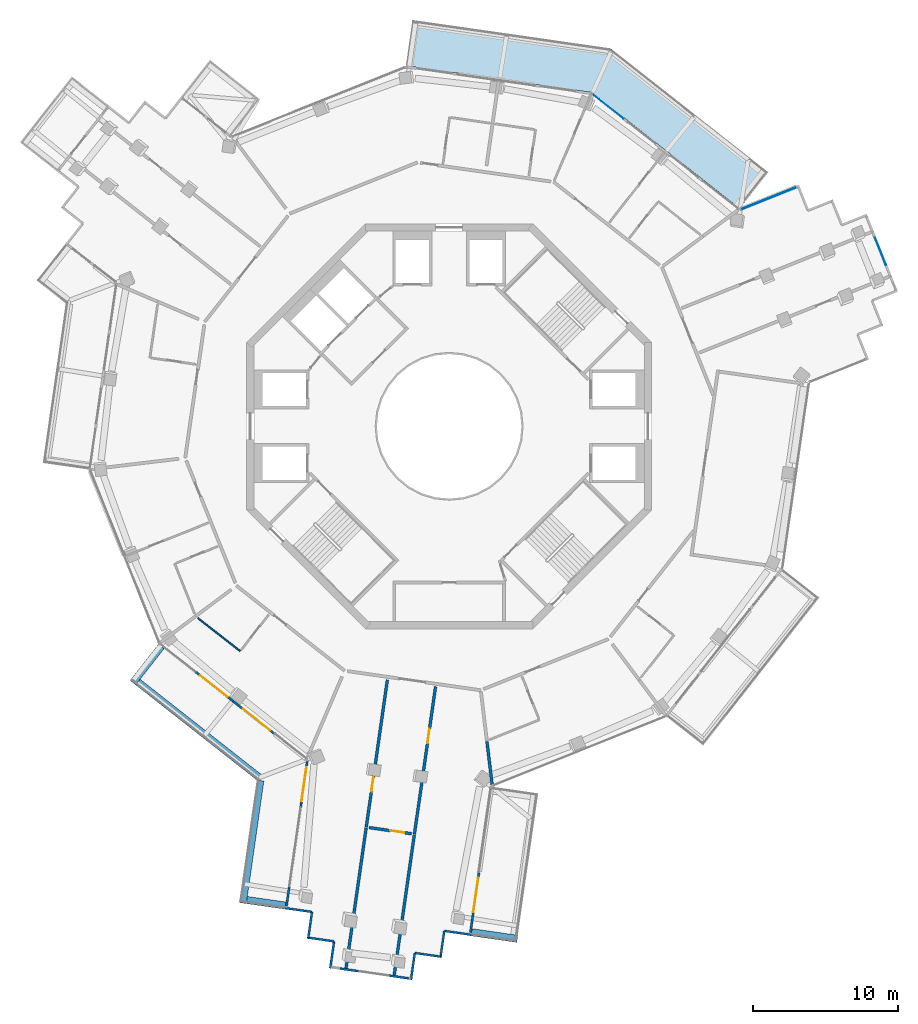
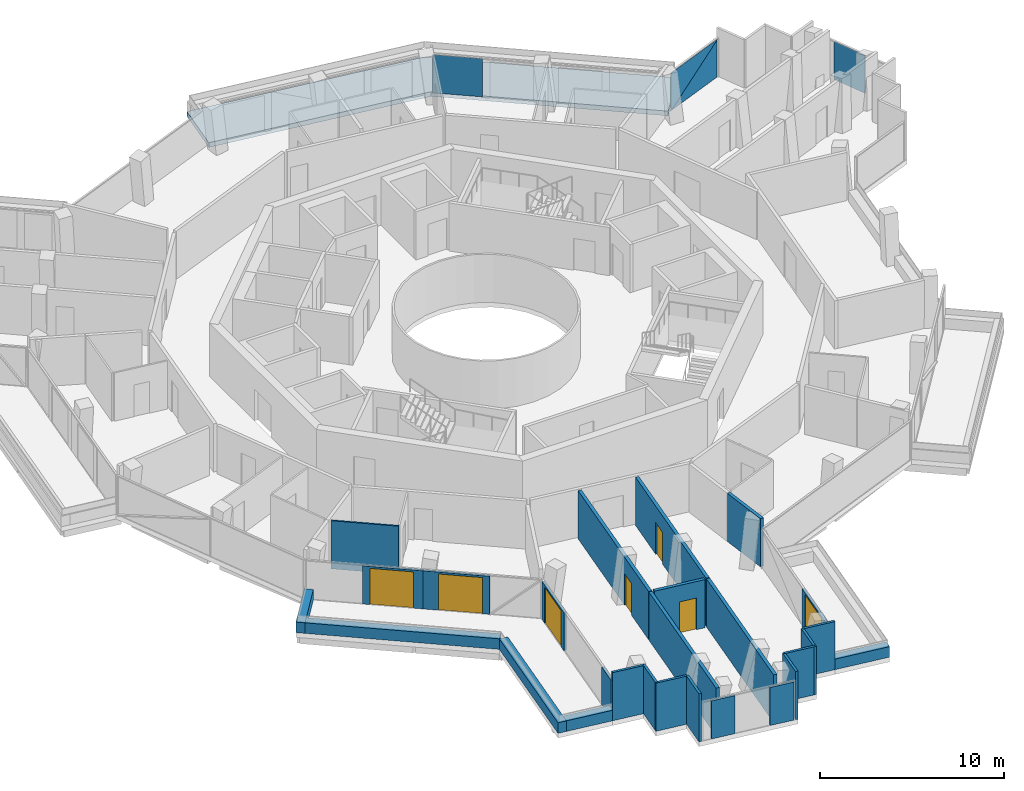
# One storey, part 15 of 23: 27 walls, 7 doors, 4 plates, 1 slab, 7 openings, 3 elements without a shape of their own.
"""IFC4 building model written with IfcOpenShell, lengths in metres."""

from ifc_helpers import new_model, si_unit, direction, frame, frame_2d, origin, origin_2d, place, context, subcontext, project, spatial, polyline, rectangle, outline, extrude, material, layer, layer_set, type_object, element, fill, aggregate, save


model = new_model("IFC4")

# Units and contexts
model_context = context("Model", 3, precision=1e-05, world=origin(), true_north=direction((0.0, 1.0)))
body_context = subcontext(model_context, "Body", "Model", "MODEL_VIEW")
ifc_project = project(units=[si_unit("LENGTHUNIT", "METRE"), si_unit("AREAUNIT", "SQUARE_METRE"), si_unit("VOLUMEUNIT", "CUBIC_METRE"), si_unit("PLANEANGLEUNIT", "RADIAN"), si_unit("MASSUNIT", "GRAM", prefix="KILO")], contexts=[model_context])

# Site, building, storey
site_placement = place(None, origin())
site = spatial("IfcSite", under=ifc_project, at=site_placement, CompositionType="ELEMENT")
building_placement = place(site_placement, origin())
building = spatial("IfcBuilding", under=site, at=building_placement, Name="Verdalira Terraces Hotel", CompositionType="ELEMENT")
storey_placement = place(building_placement, frame((0.0, 0.0, 244.5)))
storey = spatial("IfcBuildingStorey", under=building, at=storey_placement, Name="L60", CompositionType="ELEMENT", Elevation=244.5)

# Slab
ifc_material_1 = material(Name="Precast concrete C40/50", Category="concrete")
ifc_layer_1 = layer(ifc_material_1, 0.31005859375)
ifc_layer_set_1 = layer_set([ifc_layer_1], Name="Balcony deck 310")
slab_type = type_object("IfcSlabType", Name="Balcony deck 310", PredefinedType="FLOOR", material=ifc_layer_set_1)
slab_placement = place(storey_placement, frame((0.0, 0.0, -0.310059)))
element("IfcSlab", 1, at=slab_placement, inside=storey, type_object=slab_type, Name="Balcony deck", PredefinedType="FLOOR", context=body_context, shape_type="SweptSolid", body=[
    extrude(outline(polyline([(-2.536865, 28.103027), (-2.990967, 24.935303), (9.877441, 23.090088), (20.099121, 15.057861), (22.076172, 17.573975), (11.18042, 26.135986), (-2.536865, 28.103027)])), origin(), (0.0, 0.0, 1.0), 0.310059),
])

# Curtain wall, plate
ifc_material_2 = material(Name="Clear glass", Category="glass")
ifc_layer_2 = layer(ifc_material_2, 0.14990234375)
ifc_layer_set_2 = layer_set([ifc_layer_2], Name="CW1 curtain wall")
curtain_wall_type_1 = type_object("IfcCurtainWallType", Name="CW1 curtain wall", PredefinedType="NOTDEFINED", material=ifc_layer_set_2)
curtain_wall_1_placement = place(storey_placement, origin())
curtain_wall_1 = element("IfcCurtainWall", 2, at=curtain_wall_1_placement, inside=storey, type_object=curtain_wall_type_1, Name="CW1 curtain wall L60 edge 39", PredefinedType="NOTDEFINED")
ifc_material_3 = material(Name="Clear glass", Category="glass")
ifc_layer_3 = layer(ifc_material_3, 0.028076171875)
ifc_layer_set_3 = layer_set([ifc_layer_3], Name="CW1 glass unit 28")
plate_type_1 = type_object("IfcPlateType", Name="CW1 glass unit 28", PredefinedType="CURTAIN_PANEL", material=ifc_layer_set_3)
plate_1_placement = place(storey_placement, frame((10.986328, 22.123291, 0.0), z_axis=(0.0, 0.0, 1.0), x_axis=(-0.786288432, 0.617859613, 0.0)))
plate_1 = element("IfcPlate", 3, at=plate_1_placement, type_object=plate_type_1, Name="CW1 glass unit", PredefinedType="CURTAIN_PANEL", context=body_context, shape_type="SweptSolid", body=[
    extrude(rectangle(XDim=2.738525, YDim=0.028076, at=origin_2d()), origin(), (0.0, 0.0, 1.0), 2.524902),
])
aggregate(curtain_wall_1, [plate_1])

# Curtain wall, plates
ifc_material_4 = material(Name="Clear glass", Category="glass")
ifc_layer_4 = layer(ifc_material_4, 0.14990234375)
ifc_layer_set_4 = layer_set([ifc_layer_4], Name="CW2 curtain wall")
curtain_wall_type_2 = type_object("IfcCurtainWallType", Name="CW2 curtain wall", PredefinedType="NOTDEFINED", material=ifc_layer_set_4)
curtain_wall_2_placement = place(storey_placement, origin())
curtain_wall_2 = element("IfcCurtainWall", 4, at=curtain_wall_2_placement, inside=storey, type_object=curtain_wall_type_2, Name="CW2 curtain wall L60 edge 38", PredefinedType="NOTDEFINED")
ifc_material_5 = material(Name="Clear glass", Category="glass")
ifc_layer_5 = layer(ifc_material_5, 0.031982421875)
ifc_layer_set_5 = layer_set([ifc_layer_5], Name="CW2 glass unit 32")
plate_type_2 = type_object("IfcPlateType", Name="CW2 glass unit 32", PredefinedType="CURTAIN_PANEL", material=ifc_layer_set_5)
plate_2_placement = place(storey_placement, frame((22.110352, 15.766113, 1.262451), z_axis=(-0.37201595, 0.928226337, 0.0), x_axis=(-0.928226337, -0.37201595, 0.0)))
plate_2 = element("IfcPlate", 5, at=plate_2_placement, type_object=plate_type_2, Name="CW2 glass unit", PredefinedType="CURTAIN_PANEL", context=body_context, shape_type="SweptSolid", body=[
    extrude(outline(polyline([(-2.060547, -1.262451), (2.060547, -1.262451), (-2.060547, 1.262451), (-2.060547, -1.262451)])), origin(), (0.0, 0.0, 1.0), 0.031982),
])
plate_3_placement = place(storey_placement, frame((22.122803, 15.735596, 1.262451), z_axis=(-0.37201595, 0.928226337, 0.0), x_axis=(-0.928226337, -0.37201595, 0.0)))
plate_3 = element("IfcPlate", 6, at=plate_3_placement, type_object=plate_type_2, Name="CW2 glass unit", PredefinedType="CURTAIN_PANEL", context=body_context, shape_type="SweptSolid", body=[
    extrude(outline(polyline([(2.060547, -1.262451), (2.060547, 1.262451), (-2.060547, 1.262451), (2.060547, -1.262451)])), origin(), (0.0, 0.0, 1.0), 0.031982),
])
aggregate(curtain_wall_2, [plate_2, plate_3])

# Curtain wall, plate
ifc_material_6 = material(Name="Clear glass", Category="glass")
ifc_layer_6 = layer(ifc_material_6, 0.14990234375)
ifc_layer_set_6 = layer_set([ifc_layer_6], Name="CW3 curtain wall")
curtain_wall_type_3 = type_object("IfcCurtainWallType", Name="CW3 curtain wall", PredefinedType="NOTDEFINED", material=ifc_layer_set_6)
curtain_wall_3_placement = place(storey_placement, origin())
curtain_wall_3 = element("IfcCurtainWall", 7, at=curtain_wall_3_placement, inside=storey, type_object=curtain_wall_type_3, Name="CW3 curtain wall L60 edge 33", PredefinedType="NOTDEFINED")
ifc_material_7 = material(Name="Clear glass", Category="glass")
ifc_layer_7 = layer(ifc_material_7, 0.035888671875)
ifc_layer_set_7 = layer_set([ifc_layer_7], Name="CW3 glass unit 36")
plate_type_3 = type_object("IfcPlateType", Name="CW3 glass unit 36", PredefinedType="CURTAIN_PANEL", material=ifc_layer_set_7)
plate_4_placement = place(storey_placement, frame((29.811279, 12.156738, 0.0), z_axis=(0.0, 0.0, 1.0), x_axis=(-0.37201595, 0.928226337, 0.0)))
plate_4 = element("IfcPlate", 8, at=plate_4_placement, type_object=plate_type_3, Name="CW3 glass unit", PredefinedType="CURTAIN_PANEL", context=body_context, shape_type="SweptSolid", body=[
    extrude(rectangle(XDim=2.140137, YDim=0.035889, at=origin_2d()), origin(), (0.0, 0.0, 1.0), 2.524902),
])
aggregate(curtain_wall_3, [plate_4])

# Walls
ifc_material_8 = material(Name="Concrete C40", Category="concrete")
ifc_layer_8 = layer(ifc_material_8, 0.5)
ifc_layer_set_8 = layer_set([ifc_layer_8], Name="Balcony planter trough with tree")
wall_type_1 = type_object("IfcWallType", Name="Balcony planter trough with tree", PredefinedType="SOLIDWALL", material=ifc_layer_set_8)
wall_1_placement = place(storey_placement, frame((-19.903076, -15.213135, 0.0), z_axis=(0.0, 0.0, 1.0), x_axis=(-0.617858626, -0.786289208, 0.0)))
element("IfcWall", 9, at=wall_1_placement, inside=storey, type_object=wall_type_1, Name="Balcony planter", PredefinedType="SOLIDWALL", context=body_context, shape_type="SweptSolid", body=[
    extrude(rectangle(XDim=3.198975, YDim=0.5, at=frame_2d((1.599609, 0.0))), origin(), (0.0, 0.0, 1.0), 0.699951),
])
wall_2_placement = place(storey_placement, frame((-21.528564, -17.686523, 0.0), z_axis=(0.0, 0.0, 1.0), x_axis=(0.786290502, -0.617856979, 0.0)))
element("IfcWall", 10, at=wall_2_placement, inside=storey, type_object=wall_type_1, Name="Balcony planter", PredefinedType="SOLIDWALL", context=body_context, shape_type="SweptSolid", body=[
    extrude(rectangle(XDim=10.6521, YDim=0.5, at=frame_2d((5.326172, 0.0))), origin(), (0.0, 0.0, 1.0), 0.699951),
])
wall_3_placement = place(storey_placement, frame((-13.059814, -24.500244, 0.0), z_axis=(0.0, 0.0, 1.0), x_axis=(-0.14192426, -0.98987752, 0.0)))
element("IfcWall", 11, at=wall_3_placement, inside=storey, type_object=wall_type_1, Name="Balcony planter", PredefinedType="SOLIDWALL", context=body_context, shape_type="SweptSolid", body=[
    extrude(rectangle(XDim=8.563232, YDim=0.5, at=frame_2d((4.281738, 0.0))), origin(), (0.0, 0.0, 1.0), 0.699951),
])
wall_4_placement = place(storey_placement, frame((-13.992188, -32.764893, 0.0), z_axis=(0.0, 0.0, 1.0), x_axis=(0.989876998, -0.1419279, 0.0)))
element("IfcWall", 12, at=wall_4_placement, inside=storey, type_object=wall_type_1, Name="Balcony planter", PredefinedType="SOLIDWALL", context=body_context, shape_type="SweptSolid", body=[
    extrude(rectangle(XDim=2.698975, YDim=0.5, at=frame_2d((1.349609, 0.0))), origin(), (0.0, 0.0, 1.0), 0.699951),
])
wall_5_placement = place(storey_placement, frame((1.549805, -34.993408, 0.0), z_axis=(0.0, 0.0, 1.0), x_axis=(0.989873029, -0.141955577, 0.0)))
element("IfcWall", 13, at=wall_5_placement, inside=storey, type_object=wall_type_1, Name="Balcony planter", PredefinedType="SOLIDWALL", context=body_context, shape_type="SweptSolid", body=[
    extrude(rectangle(XDim=3.198975, YDim=0.5, at=frame_2d((1.599609, 0.0))), origin(), (0.0, 0.0, 1.0), 0.699951),
])
ifc_material_9 = material(Name="Moisture-resistant gypsum board partition")
ifc_layer_9 = layer(ifc_material_9, 0.10009765625)
ifc_layer_set_9 = layer_set([ifc_layer_9], Name="Bathroom partition 100 mm")
wall_type_2 = type_object("IfcWallType", Name="Bathroom partition 100 mm", PredefinedType="PARTITIONING", material=ifc_layer_set_9)
wall_6_placement = place(storey_placement, frame((-14.455322, -15.550049, 0.0), z_axis=(0.0, 0.0, 1.0), x_axis=(-0.786313773, 0.617827363, 0.0)))
element("IfcWall", 14, at=wall_6_placement, inside=storey, type_object=wall_type_2, Name="Bathroom partition", PredefinedType="PARTITIONING", context=body_context, shape_type="SweptSolid", body=[
    extrude(rectangle(XDim=3.710938, YDim=0.100098, at=frame_2d((1.855469, 0.0))), origin(), (0.0, 0.0, 1.0), 3.189941),
])
ifc_material_10 = material(Name="Fire-rated gypsum board wall")
ifc_layer_10 = layer(ifc_material_10, 0.199951171875)
ifc_layer_set_10 = layer_set([ifc_layer_10], Name="Demising wall 200 mm")
wall_type_3 = type_object("IfcWallType", Name="Demising wall 200 mm", PredefinedType="SOLIDWALL", material=ifc_layer_set_10)
wall_7_placement = place(storey_placement, frame((-5.738281, -27.772949, 0.0), z_axis=(0.0, 0.0, 1.0), x_axis=(-0.141936838, -0.989875716, 0.0)))
element("IfcWall", 15, at=wall_7_placement, inside=storey, type_object=wall_type_3, Name="Demising wall", PredefinedType="SOLIDWALL", context=body_context, shape_type="SweptSolid", body=[
    extrude(rectangle(XDim=9.812988, YDim=0.199951, at=frame_2d((4.906494, 0.0))), origin(), (0.0, 0.0, 1.0), 3.189941),
])

# Wall, opening, door
wall_8_placement = place(storey_placement, frame((-5.731689, -27.727539, 0.0), z_axis=(0.0, 0.0, 1.0), x_axis=(0.141952175, 0.989873517, 0.0)))
wall_8 = element("IfcWall", 16, at=wall_8_placement, inside=storey, type_object=wall_type_3, Name="Demising wall", PredefinedType="SOLIDWALL", context=body_context, shape_type="SweptSolid", body=[
    extrude(rectangle(XDim=10.302002, YDim=0.199951, at=frame_2d((5.150879, 0.0))), origin(), (0.0, 0.0, 1.0), 3.189941),
])
opening_1_placement = place(wall_8_placement, frame((2.5, 0.0, 0.0)))
opening_1 = element("IfcOpeningElement", 17, at=opening_1_placement, cuts=wall_8, Name="Opening L60-112", PredefinedType="OPENING", context=body_context, shape_type="SweptSolid", body=[
    extrude(rectangle(XDim=1.0, YDim=2.100098, at=frame_2d((0.5, 1.050049))), frame((0.0, 0.109863, 0.0), z_axis=(0.0, -1.0, 0.0), x_axis=(1.0, 0.0, 0.0)), (0.0, 0.0, 1.0), 0.219971),
])
ifc_material_11 = material(Name="Timber fire door", Category="wood")
door_type_1 = type_object("IfcDoorType", Name="Public room door 1000 x 2100", OperationType="NOTDEFINED", PredefinedType="DOOR", material=ifc_material_11)
door_1_placement = place(opening_1_placement, origin())
door_1 = element("IfcDoor", 18, at=door_1_placement, inside=storey, type_object=door_type_1, Name="Public room door 6005", OperationType="SINGLE_SWING_LEFT", OverallHeight=2.10009765625, OverallWidth=1.0, PredefinedType="DOOR", context=body_context, shape_type="SweptSolid", body=[
    extrude(rectangle(XDim=1.0, YDim=2.100098, at=frame_2d((0.5, 1.050049))), frame((0.0, 0.024902, 0.0), z_axis=(0.0, -1.0, 0.0), x_axis=(1.0, 0.0, 0.0)), (0.0, 0.0, 1.0), 0.050049),
])
fill(opening_1, door_1)

wall_9_placement = place(storey_placement, frame((-2.598389, -28.174805, 0.0), z_axis=(0.0, 0.0, 1.0), x_axis=(-0.9898736, 0.141951596, 0.0)))
wall_9 = element("IfcWall", 19, at=wall_9_placement, inside=storey, type_object=wall_type_3, Name="Demising wall", PredefinedType="SOLIDWALL", context=body_context, shape_type="SweptSolid", body=[
    extrude(rectangle(XDim=2.965088, YDim=0.199951, at=frame_2d((1.482422, 0.0))), origin(), (0.0, 0.0, 1.0), 3.189941),
])
opening_2_placement = place(wall_9_placement, frame((0.5, 0.0, 0.0)))
opening_2 = element("IfcOpeningElement", 20, at=opening_2_placement, cuts=wall_9, Name="Opening L60-114", PredefinedType="OPENING", context=body_context, shape_type="SweptSolid", body=[
    extrude(rectangle(XDim=1.0, YDim=2.100098, at=frame_2d((0.5, 1.050049))), frame((0.0, 0.109863, 0.0), z_axis=(0.0, -1.0, 0.0), x_axis=(1.0, 0.0, 0.0)), (0.0, 0.0, 1.0), 0.219971),
])
door_2_placement = place(opening_2_placement, origin())
door_2 = element("IfcDoor", 21, at=door_2_placement, inside=storey, type_object=door_type_1, Name="Public room door 6005", OperationType="SINGLE_SWING_LEFT", OverallHeight=2.10009765625, OverallWidth=1.0, PredefinedType="DOOR", context=body_context, shape_type="SweptSolid", body=[
    extrude(rectangle(XDim=1.0, YDim=2.100098, at=frame_2d((0.5, 1.050049))), frame((0.0, 0.024902, 0.0), z_axis=(0.0, -1.0, 0.0), x_axis=(1.0, 0.0, 0.0)), (0.0, 0.0, 1.0), 0.050049),
])
fill(opening_2, door_2)

# Wall
wall_10_placement = place(storey_placement, frame((-3.800049, -37.964111, 0.0), z_axis=(0.0, 0.0, 1.0), x_axis=(0.141940333, 0.989875215, 0.0)))
element("IfcWall", 22, at=wall_10_placement, inside=storey, type_object=wall_type_3, Name="Demising wall", PredefinedType="SOLIDWALL", context=body_context, shape_type="SweptSolid", body=[
    extrude(rectangle(XDim=9.812744, YDim=0.199951, at=frame_2d((4.90625, 0.0))), origin(), (0.0, 0.0, 1.0), 3.189941),
])

# Wall, opening, door
wall_11_placement = place(storey_placement, frame((-0.938477, -18.007324, 0.0), z_axis=(0.0, 0.0, 1.0), x_axis=(-0.141952175, -0.989873517, 0.0)))
wall_11 = element("IfcWall", 23, at=wall_11_placement, inside=storey, type_object=wall_type_3, Name="Demising wall", PredefinedType="SOLIDWALL", context=body_context, shape_type="SweptSolid", body=[
    extrude(rectangle(XDim=10.302002, YDim=0.199951, at=frame_2d((5.150879, 0.0))), origin(), (0.0, 0.0, 1.0), 3.189941),
])
opening_3_placement = place(wall_11_placement, frame((2.949951, 0.0, 0.0)))
opening_3 = element("IfcOpeningElement", 24, at=opening_3_placement, cuts=wall_11, Name="Opening L60-113", PredefinedType="OPENING", context=body_context, shape_type="SweptSolid", body=[
    extrude(rectangle(XDim=1.0, YDim=2.100098, at=frame_2d((0.5, 1.050049))), frame((0.0, 0.109863, 0.0), z_axis=(0.0, -1.0, 0.0), x_axis=(1.0, 0.0, 0.0)), (0.0, 0.0, 1.0), 0.219971),
])
door_3_placement = place(opening_3_placement, origin())
door_3 = element("IfcDoor", 25, at=door_3_placement, inside=storey, type_object=door_type_1, Name="Public room door 6005", OperationType="SINGLE_SWING_LEFT", OverallHeight=2.10009765625, OverallWidth=1.0, PredefinedType="DOOR", context=body_context, shape_type="SweptSolid", body=[
    extrude(rectangle(XDim=1.0, YDim=2.100098, at=frame_2d((0.5, 1.050049))), frame((0.0, 0.024902, 0.0), z_axis=(0.0, -1.0, 0.0), x_axis=(1.0, 0.0, 0.0)), (0.0, 0.0, 1.0), 0.050049),
])
fill(opening_3, door_3)

# Walls
wall_12_placement = place(storey_placement, frame((2.614502, -21.796387, 0.0), z_axis=(0.0, 0.0, 1.0), x_axis=(0.119094071, -0.992882975, 0.0)))
element("IfcWall", 26, at=wall_12_placement, inside=storey, type_object=wall_type_3, Name="Demising wall", PredefinedType="SOLIDWALL", context=body_context, shape_type="SweptSolid", body=[
    extrude(rectangle(XDim=3.011475, YDim=0.199951, at=frame_2d((1.505859, 0.0))), origin(), (0.0, 0.0, 1.0), 3.189941),
])
ifc_material_12 = material(Name="Terracotta cladding", Category="masonry")
ifc_layer_11 = layer(ifc_material_12, 0.14990234375)
ifc_layer_set_11 = layer_set([ifc_layer_11], Name="Terracotta clad wall 150")
wall_type_4 = type_object("IfcWallType", Name="Terracotta clad wall 150", PredefinedType="SOLIDWALL", material=ifc_layer_set_11)
wall_13_placement = place(storey_placement, frame((-11.344482, -33.321289, 0.0), z_axis=(0.0, 0.0, 1.0), x_axis=(0.989879066, -0.141913479, 0.0)))
element("IfcWall", 27, at=wall_13_placement, inside=storey, type_object=wall_type_4, Name="Terracotta cladding wall", PredefinedType="SOLIDWALL", context=body_context, shape_type="SweptSolid", body=[
    extrude(rectangle(XDim=1.875244, YDim=0.149902, at=frame_2d((0.9375, 0.0))), origin(), (0.0, 0.0, 1.0), 3.189941),
])
wall_14_placement = place(storey_placement, frame((-9.488281, -33.587402, 0.0), z_axis=(0.0, 0.0, 1.0), x_axis=(-0.142009988, -0.989865225, 0.0)))
element("IfcWall", 28, at=wall_14_placement, inside=storey, type_object=wall_type_4, Name="Terracotta cladding wall", PredefinedType="SOLIDWALL", context=body_context, shape_type="SweptSolid", body=[
    extrude(rectangle(XDim=1.800049, YDim=0.149902, at=frame_2d((0.899902, 0.0))), origin(), (0.0, 0.0, 1.0), 3.189941),
])
for number, where, z_axis, x_axis, name in (
    (29, (-9.818115, -35.358643, 0.0), (0.0, 0.0, 1.0), (0.989876443, -0.141931771, 0.0), "Terracotta cladding wall"),
    (30, (-7.962158, -35.624756, 0.0), (0.0, 0.0, 1.0), (-0.141931771, -0.989876443, 0.0), "Terracotta cladding wall"),
    (31, (-2.635498, -38.282715, 0.0), (0.0, 0.0, 1.0), (0.141931771, 0.989876443, 0.0), "Terracotta cladding wall"),
):
    element("IfcWall", number, at=place(storey_placement, frame(where, z_axis=z_axis, x_axis=x_axis)), inside=storey, type_object=wall_type_4, Name=name, PredefinedType="SOLIDWALL", context=body_context, shape_type="SweptSolid", body=[
        extrude(rectangle(XDim=1.875, YDim=0.149902, at=frame_2d((0.9375, 0.0))), origin(), (0.0, 0.0, 1.0), 3.189941),
    ])
wall_15_placement = place(storey_placement, frame((-2.369385, -36.426758, 0.0), z_axis=(0.0, 0.0, 1.0), x_axis=(0.989884283, -0.141877084, 0.0)))
element("IfcWall", 32, at=wall_15_placement, inside=storey, type_object=wall_type_4, Name="Terracotta cladding wall", PredefinedType="SOLIDWALL", context=body_context, shape_type="SweptSolid", body=[
    extrude(rectangle(XDim=1.800049, YDim=0.149902, at=frame_2d((0.899902, 0.0))), origin(), (0.0, 0.0, 1.0), 3.189941),
])
for number, where, z_axis, x_axis, name in (
    (33, (-0.598145, -36.756348, 0.0), (0.0, 0.0, 1.0), (0.141931771, 0.989876443, 0.0), "Terracotta cladding wall"),
    (34, (-0.332031, -34.900391, 0.0), (0.0, 0.0, 1.0), (0.989876443, -0.141931771, 0.0), "Terracotta cladding wall"),
):
    element("IfcWall", number, at=place(storey_placement, frame(where, z_axis=z_axis, x_axis=x_axis)), inside=storey, type_object=wall_type_4, Name=name, PredefinedType="SOLIDWALL", context=body_context, shape_type="SweptSolid", body=[
        extrude(rectangle(XDim=1.875, YDim=0.149902, at=frame_2d((0.9375, 0.0))), origin(), (0.0, 0.0, 1.0), 3.189941),
    ])
ifc_material_13 = material(Name="Terracotta cladding", Category="masonry")
ifc_layer_12 = layer(ifc_material_13, 0.14990234375)
ifc_layer_set_12 = layer_set([ifc_layer_12], Name="Terracotta column pier 150")
wall_type_5 = type_object("IfcWallType", Name="Terracotta column pier 150", PredefinedType="SOLIDWALL", material=ifc_layer_set_12)
wall_16_placement = place(storey_placement, frame((-11.053711, -31.82251, 0.0), z_axis=(0.0, 0.0, 1.0), x_axis=(-0.141891954, -0.989882151, 0.0)))
element("IfcWall", 35, at=wall_16_placement, inside=storey, type_object=wall_type_5, Name="Terracotta column pier", PredefinedType="SOLIDWALL", context=body_context, shape_type="SweptSolid", body=[
    extrude(rectangle(XDim=1.379883, YDim=0.149902, at=frame_2d((0.689941, 0.0))), origin(), (0.0, 0.0, 1.0), 2.524902),
])
wall_17_placement = place(storey_placement, frame((-7.559326, -37.500977, 0.0), z_axis=(0.0, 0.0, 1.0), x_axis=(0.989892615, -0.141818935, 0.0)))
element("IfcWall", 36, at=wall_17_placement, inside=storey, type_object=wall_type_5, Name="Terracotta column pier", PredefinedType="SOLIDWALL", context=body_context, shape_type="SweptSolid", body=[
    extrude(rectangle(XDim=1.375488, YDim=0.149902, at=frame_2d((0.687744, 0.0))), origin(), (0.0, 0.0, 1.0), 2.524902),
])
wall_18_placement = place(storey_placement, frame((-4.174072, -37.986328, 0.0), z_axis=(0.0, 0.0, 1.0), x_axis=(0.98986969, -0.141978861, 0.0)))
element("IfcWall", 37, at=wall_18_placement, inside=storey, type_object=wall_type_5, Name="Terracotta column pier", PredefinedType="SOLIDWALL", context=body_context, shape_type="SweptSolid", body=[
    extrude(rectangle(XDim=1.410156, YDim=0.149902, at=frame_2d((0.705078, 0.0))), origin(), (0.0, 0.0, 1.0), 2.524902),
])

# Wall, opening, door
ifc_material_14 = material(Name="Terracotta cladding", Category="masonry")
ifc_layer_13 = layer(ifc_material_14, 0.14990234375)
ifc_layer_set_13 = layer_set([ifc_layer_13], Name="Terracotta door pier 150")
wall_type_6 = type_object("IfcWallType", Name="Terracotta door pier 150", PredefinedType="SOLIDWALL", material=ifc_layer_set_13)
wall_19_placement = place(storey_placement, frame((-17.536621, -16.976074, 0.0), z_axis=(0.0, 0.0, 1.0), x_axis=(0.786266993, -0.617886896, 0.0)))
wall_19 = element("IfcWall", 38, at=wall_19_placement, inside=storey, type_object=wall_type_6, Name="Terracotta door pier", PredefinedType="SOLIDWALL", context=body_context, shape_type="SweptSolid", body=[
    extrude(rectangle(XDim=3.300049, YDim=0.149902, at=frame_2d((1.649902, 0.0))), origin(), (0.0, 0.0, 1.0), 2.524902),
])
opening_4_placement = place(wall_19_placement, frame((0.399902, 0.0, 0.0)))
opening_4 = element("IfcOpeningElement", 39, at=opening_4_placement, cuts=wall_19, Name="Opening L60-B06", PredefinedType="OPENING", context=body_context, shape_type="SweptSolid", body=[
    extrude(rectangle(XDim=2.399902, YDim=2.399902, at=frame_2d((1.199951, 1.199951))), frame((0.0, 0.084961, 0.0), z_axis=(0.0, -1.0, 0.0), x_axis=(1.0, 0.0, 0.0)), (0.0, 0.0, 1.0), 0.169922),
])
ifc_material_15 = material(Name="Clear glass", Category="glass")
door_type_2 = type_object("IfcDoorType", Name="Balcony sliding door 2400x2400", OperationType="NOTDEFINED", PredefinedType="DOOR", material=ifc_material_15)
door_4_placement = place(opening_4_placement, origin())
door_4 = element("IfcDoor", 40, at=door_4_placement, inside=storey, type_object=door_type_2, Name="Balcony sliding door", OperationType="SLIDING_TO_RIGHT", OverallHeight=2.39990234375, OverallWidth=2.39990234375, PredefinedType="DOOR", context=body_context, shape_type="SweptSolid", body=[
    extrude(rectangle(XDim=2.399902, YDim=2.399902, at=frame_2d((1.199951, 1.199951))), frame((0.0, 0.024902, 0.0), z_axis=(0.0, -1.0, 0.0), x_axis=(1.0, 0.0, 0.0)), (0.0, 0.0, 1.0), 0.050049),
])
fill(opening_4, door_4)

wall_20_placement = place(storey_placement, frame((-14.941895, -19.015137, 0.0), z_axis=(0.0, 0.0, 1.0), x_axis=(0.786290572, -0.61785689, 0.0)))
wall_20 = element("IfcWall", 41, at=wall_20_placement, inside=storey, type_object=wall_type_6, Name="Terracotta door pier", PredefinedType="SOLIDWALL", context=body_context, shape_type="SweptSolid", body=[
    extrude(rectangle(XDim=3.661377, YDim=0.149902, at=frame_2d((1.830566, 0.0))), origin(), (0.0, 0.0, 1.0), 2.524902),
])
opening_5_placement = place(wall_20_placement, frame((0.861328, 0.0, 0.0)))
opening_5 = element("IfcOpeningElement", 42, at=opening_5_placement, cuts=wall_20, Name="Opening L60-B07", PredefinedType="OPENING", context=body_context, shape_type="SweptSolid", body=[
    extrude(rectangle(XDim=2.399902, YDim=2.399902, at=frame_2d((1.199951, 1.199951))), frame((0.0, 0.084961, 0.0), z_axis=(0.0, -1.0, 0.0), x_axis=(1.0, 0.0, 0.0)), (0.0, 0.0, 1.0), 0.169922),
])
door_5_placement = place(opening_5_placement, origin())
door_5 = element("IfcDoor", 43, at=door_5_placement, inside=storey, type_object=door_type_2, Name="Balcony sliding door", OperationType="SLIDING_TO_LEFT", OverallHeight=2.39990234375, OverallWidth=2.39990234375, PredefinedType="DOOR", context=body_context, shape_type="SweptSolid", body=[
    extrude(rectangle(XDim=2.399902, YDim=2.399902, at=frame_2d((1.199951, 1.199951))), frame((0.0, 0.024902, 0.0), z_axis=(0.0, -1.0, 0.0), x_axis=(1.0, 0.0, 0.0)), (0.0, 0.0, 1.0), 0.050049),
])
fill(opening_5, door_5)

wall_21_placement = place(storey_placement, frame((-9.812988, -23.170166, 0.0), z_axis=(0.0, 0.0, 1.0), x_axis=(-0.141987452, -0.989868458, 0.0)))
wall_21 = element("IfcWall", 44, at=wall_21_placement, inside=storey, type_object=wall_type_6, Name="Terracotta door pier", PredefinedType="SOLIDWALL", context=body_context, shape_type="SweptSolid", body=[
    extrude(rectangle(XDim=3.199951, YDim=0.149902, at=frame_2d((1.600098, 0.0))), origin(), (0.0, 0.0, 1.0), 2.524902),
])
opening_6_placement = place(wall_21_placement, frame((0.399902, 0.0, 0.0)))
opening_6 = element("IfcOpeningElement", 45, at=opening_6_placement, cuts=wall_21, Name="Opening L60-B08", PredefinedType="OPENING", context=body_context, shape_type="SweptSolid", body=[
    extrude(rectangle(XDim=2.399902, YDim=2.399902, at=frame_2d((1.199951, 1.199951))), frame((0.0, 0.084961, 0.0), z_axis=(0.0, -1.0, 0.0), x_axis=(1.0, 0.0, 0.0)), (0.0, 0.0, 1.0), 0.169922),
])
door_6_placement = place(opening_6_placement, origin())
door_6 = element("IfcDoor", 46, at=door_6_placement, inside=storey, type_object=door_type_2, Name="Balcony sliding door", OperationType="SLIDING_TO_LEFT", OverallHeight=2.39990234375, OverallWidth=2.39990234375, PredefinedType="DOOR", context=body_context, shape_type="SweptSolid", body=[
    extrude(rectangle(XDim=2.399902, YDim=2.399902, at=frame_2d((1.199951, 1.199951))), frame((0.0, 0.024902, 0.0), z_axis=(0.0, -1.0, 0.0), x_axis=(1.0, 0.0, 0.0)), (0.0, 0.0, 1.0), 0.050049),
])
fill(opening_6, door_6)

wall_22_placement = place(storey_placement, frame((1.470215, -35.012451, 0.0), z_axis=(0.0, 0.0, 1.0), x_axis=(0.141957154, 0.989872803, 0.0)))
wall_22 = element("IfcWall", 47, at=wall_22_placement, inside=storey, type_object=wall_type_6, Name="Terracotta door pier", PredefinedType="SOLIDWALL", context=body_context, shape_type="SweptSolid", body=[
    extrude(rectangle(XDim=4.210205, YDim=0.149902, at=frame_2d((2.10498, 0.0))), origin(), (0.0, 0.0, 1.0), 2.524902),
])
opening_7_placement = place(wall_22_placement, frame((1.409912, 0.0, 0.0)))
opening_7 = element("IfcOpeningElement", 48, at=opening_7_placement, cuts=wall_22, Name="Opening L60-B09", PredefinedType="OPENING", context=body_context, shape_type="SweptSolid", body=[
    extrude(rectangle(XDim=2.399902, YDim=2.399902, at=frame_2d((1.199951, 1.199951))), frame((0.0, 0.084961, 0.0), z_axis=(0.0, -1.0, 0.0), x_axis=(1.0, 0.0, 0.0)), (0.0, 0.0, 1.0), 0.169922),
])
door_7_placement = place(opening_7_placement, origin())
door_7 = element("IfcDoor", 49, at=door_7_placement, inside=storey, type_object=door_type_2, Name="Balcony sliding door", OperationType="SLIDING_TO_LEFT", OverallHeight=2.39990234375, OverallWidth=2.39990234375, PredefinedType="DOOR", context=body_context, shape_type="SweptSolid", body=[
    extrude(rectangle(XDim=2.399902, YDim=2.399902, at=frame_2d((1.199951, 1.199951))), frame((0.0, 0.024902, 0.0), z_axis=(0.0, -1.0, 0.0), x_axis=(1.0, 0.0, 0.0)), (0.0, 0.0, 1.0), 0.050049),
])
fill(opening_7, door_7)

save(model, "model.ifc")
